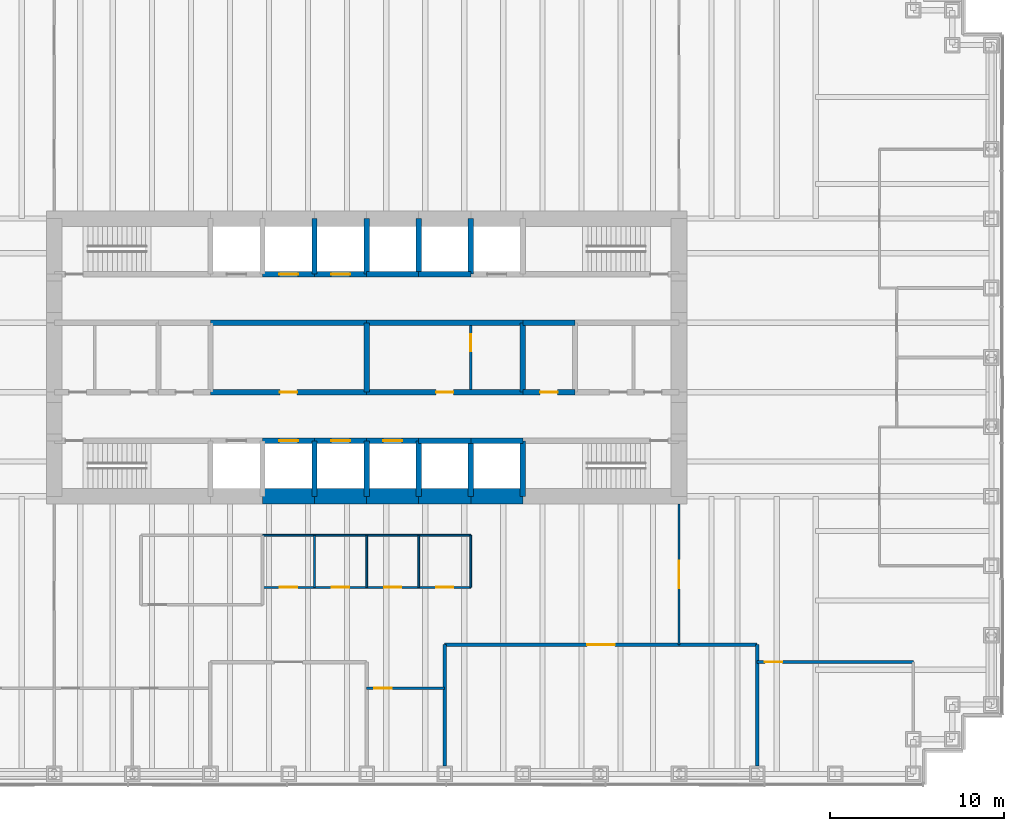
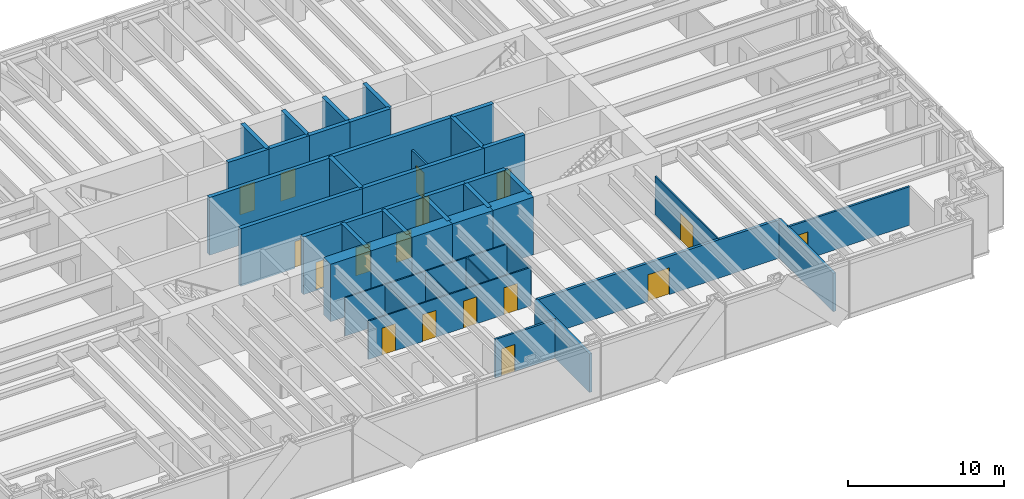
# One storey, part 10 of 13: 44 walls, 17 doors, 17 openings.
"""IFC4 building model written with IfcOpenShell, lengths in metres."""

from ifc_helpers import new_model, si_unit, direction, frame, frame_2d, origin, place, context, subcontext, project, spatial, rectangle, extrude, material, layer, layer_set, type_object, element, fill, save


model = new_model("IFC4")

# Units and contexts
model_context = context("Model", 3, precision=1e-05, world=origin(), true_north=direction((0.0, 1.0)))
body_context = subcontext(model_context, "Body", "Model", "MODEL_VIEW")
ifc_project = project(units=[si_unit("LENGTHUNIT", "METRE"), si_unit("AREAUNIT", "SQUARE_METRE"), si_unit("VOLUMEUNIT", "CUBIC_METRE"), si_unit("PLANEANGLEUNIT", "RADIAN"), si_unit("MASSUNIT", "GRAM", prefix="KILO")], contexts=[model_context])

# Site, building, storey
site_placement = place(None, origin())
site = spatial("IfcSite", under=ifc_project, at=site_placement, CompositionType="ELEMENT")
building_placement = place(site_placement, origin())
building = spatial("IfcBuilding", under=site, at=building_placement, Name="Rheinbord Bourse Tower", CompositionType="ELEMENT")
storey_placement = place(building_placement, frame((0.0, 0.0, 41.0)))
storey = spatial("IfcBuildingStorey", under=building, at=storey_placement, Name="L08", CompositionType="ELEMENT", Elevation=41.0)

# Wall, opening, door
ifc_material_1 = material(Name="Acoustic gypsum board partition", Category="gypsum board")
ifc_layer_1 = layer(ifc_material_1, 0.199951171875)
ifc_layer_set_1 = layer_set([ifc_layer_1], Name="ACOUSTIC PARTITION 200")
wall_type_1 = type_object("IfcWallType", Name="ACOUSTIC PARTITION 200", PredefinedType="PARTITIONING", material=ifc_layer_set_1)
wall_1_placement = place(storey_placement, frame((40.5, 7.449951171875, 0.0), z_axis=(0.0, 0.0, 1.0), x_axis=(1.0, 0.0, 0.0)))
wall_1 = element("IfcWall", 1, at=wall_1_placement, inside=storey, type_object=wall_type_1, Name="Partition L08-06", PredefinedType="PARTITIONING", context=body_context, shape_type="SweptSolid", body=[
    extrude(rectangle(XDim=18.0, YDim=0.199951171875, at=frame_2d((9.0, 0.0))), origin(), (0.0, 0.0, 1.0), 3.0),
])
opening_1_placement = place(wall_1_placement, frame((8.199951171875, 0.0, 0.0)))
opening_1 = element("IfcOpeningElement", 2, at=opening_1_placement, cuts=wall_1, Name="Opening 08D08", PredefinedType="OPENING", context=body_context, shape_type="SweptSolid", body=[
    extrude(rectangle(XDim=1.60009765625, YDim=2.10009765625, at=frame_2d((0.800048828125, 1.050048828125))), frame((0.0, 0.10986328125, 0.0), z_axis=(0.0, -1.0, 0.0), x_axis=(1.0, 0.0, 0.0)), (0.0, 0.0, 1.0), 0.219970703125),
])
ifc_material_2 = material(Name="Timber door", Category="wood")
door_type_1 = type_object("IfcDoorType", Name="DOUBLE ROOM DOOR 1600", OperationType="DOUBLE_DOOR_DOUBLE_SWING", PredefinedType="DOOR", material=ifc_material_2)
door_1_placement = place(opening_1_placement, origin())
door_1 = element("IfcDoor", 3, at=door_1_placement, inside=storey, type_object=door_type_1, Name="Sales trading room door L08", OperationType="SINGLE_SWING_LEFT", OverallHeight=2.10009765625, OverallWidth=1.60009765625, PredefinedType="DOOR", context=body_context, shape_type="SweptSolid", body=[
    extrude(rectangle(XDim=1.60009765625, YDim=2.10009765625, at=frame_2d((0.800048828125, 1.050048828125))), frame((0.0, 0.02490234375, 0.0), z_axis=(0.0, -1.0, 0.0), x_axis=(1.0, 0.0, 0.0)), (0.0, 0.0, 1.0), 0.050048828125),
])
fill(opening_1, door_1)

# Walls
for number, where, z_axis, x_axis, name in (
    (4, (40.5, 0.449951171875, 0.0), (0.0, 0.0, 1.0), (0.0, 1.0, 0.0), "Partition L08-34"),
    (5, (58.5, 0.449951171875, 0.0), (0.0, 0.0, 1.0), (0.0, 1.0, 0.0), "Partition L08-38"),
):
    element("IfcWall", number, at=place(storey_placement, frame(where, z_axis=z_axis, x_axis=x_axis)), inside=storey, type_object=wall_type_1, Name=name, PredefinedType="PARTITIONING", context=body_context, shape_type="SweptSolid", body=[
        extrude(rectangle(XDim=7.0, YDim=0.199951171875, at=frame_2d((3.5, 0.0))), origin(), (0.0, 0.0, 1.0), 3.0),
    ])

# Wall, opening, door
ifc_material_3 = material(Name="Concrete C50/60", Category="concrete")
ifc_layer_2 = layer(ifc_material_3, 0.300048828125)
ifc_layer_set_2 = layer_set([ifc_layer_2], Name="CORE INNER WALL 300")
wall_type_2 = type_object("IfcWallType", Name="CORE INNER WALL 300", PredefinedType="SOLIDWALL", material=ifc_layer_set_2)
wall_2_placement = place(storey_placement, frame((30.0, 19.199951171875, 0.0), z_axis=(0.0, 0.0, 1.0), x_axis=(1.0, 0.0, 0.0)))
wall_2 = element("IfcWall", 6, at=wall_2_placement, inside=storey, type_object=wall_type_2, Name="Core wall A3 L08", PredefinedType="SOLIDWALL", context=body_context, shape_type="SweptSolid", body=[
    extrude(rectangle(XDim=3.0, YDim=0.300048828125, at=frame_2d((1.5, 0.0))), origin(), (0.0, 0.0, 1.0), 4.5),
])
opening_2_placement = place(wall_2_placement, frame((0.949951171875, 0.0, 0.0)))
opening_2 = element("IfcOpeningElement", 7, at=opening_2_placement, cuts=wall_2, Name="Opening PA1", PredefinedType="OPENING", context=body_context, shape_type="SweptSolid", body=[
    extrude(rectangle(XDim=1.10009765625, YDim=2.199951171875, at=frame_2d((0.550048828125, 1.10009765625))), frame((0.0, 0.159912109375, 0.0), z_axis=(0.0, -1.0, 0.0), x_axis=(1.0, 0.0, 0.0)), (0.0, 0.0, 1.0), 0.320068359375),
])
ifc_material_4 = material(Name="Steel landing door", Category="steel")
door_type_2 = type_object("IfcDoorType", Name="LIFT LANDING DOOR 1100", OperationType="DOUBLE_DOOR_SLIDING", PredefinedType="USERDEFINED", material=ifc_material_4)
door_2_placement = place(opening_2_placement, origin())
door_2 = element("IfcDoor", 8, at=door_2_placement, inside=storey, type_object=door_type_2, Name="Lift landing door PA1 L08", ObjectType="LIFT LANDING DOOR", OperationType="DOUBLE_DOOR_SLIDING", OverallHeight=2.199951171875, OverallWidth=1.10009765625, PredefinedType="USERDEFINED", context=body_context, shape_type="SweptSolid", body=[
    extrude(rectangle(XDim=1.10009765625, YDim=2.199951171875, at=frame_2d((0.550048828125, 1.10009765625))), frame((0.0, 0.02490234375, 0.0), z_axis=(0.0, -1.0, 0.0), x_axis=(1.0, 0.0, 0.0)), (0.0, 0.0, 1.0), 0.050048828125),
])
fill(opening_2, door_2)

wall_3_placement = place(storey_placement, frame((33.0, 19.199951171875, 0.0), z_axis=(0.0, 0.0, 1.0), x_axis=(1.0, 0.0, 0.0)))
wall_3 = element("IfcWall", 9, at=wall_3_placement, inside=storey, type_object=wall_type_2, Name="Core wall A4 L08", PredefinedType="SOLIDWALL", context=body_context, shape_type="SweptSolid", body=[
    extrude(rectangle(XDim=3.0, YDim=0.300048828125, at=frame_2d((1.5, 0.0))), origin(), (0.0, 0.0, 1.0), 4.5),
])
opening_3_placement = place(wall_3_placement, frame((0.949951171875, 0.0, 0.0)))
opening_3 = element("IfcOpeningElement", 10, at=opening_3_placement, cuts=wall_3, Name="Opening PA2", PredefinedType="OPENING", context=body_context, shape_type="SweptSolid", body=[
    extrude(rectangle(XDim=1.10009765625, YDim=2.199951171875, at=frame_2d((0.550048828125, 1.10009765625))), frame((0.0, 0.159912109375, 0.0), z_axis=(0.0, -1.0, 0.0), x_axis=(1.0, 0.0, 0.0)), (0.0, 0.0, 1.0), 0.320068359375),
])
door_3_placement = place(opening_3_placement, origin())
door_3 = element("IfcDoor", 11, at=door_3_placement, inside=storey, type_object=door_type_2, Name="Lift landing door PA2 L08", ObjectType="LIFT LANDING DOOR", OperationType="DOUBLE_DOOR_SLIDING", OverallHeight=2.199951171875, OverallWidth=1.10009765625, PredefinedType="USERDEFINED", context=body_context, shape_type="SweptSolid", body=[
    extrude(rectangle(XDim=1.10009765625, YDim=2.199951171875, at=frame_2d((0.550048828125, 1.10009765625))), frame((0.0, 0.02490234375, 0.0), z_axis=(0.0, -1.0, 0.0), x_axis=(1.0, 0.0, 0.0)), (0.0, 0.0, 1.0), 0.050048828125),
])
fill(opening_3, door_3)

wall_4_placement = place(storey_placement, frame((36.0, 19.199951171875, 0.0), z_axis=(0.0, 0.0, 1.0), x_axis=(1.0, 0.0, 0.0)))
wall_4 = element("IfcWall", 12, at=wall_4_placement, inside=storey, type_object=wall_type_2, Name="Core wall A5 L08", PredefinedType="SOLIDWALL", context=body_context, shape_type="SweptSolid", body=[
    extrude(rectangle(XDim=3.0, YDim=0.300048828125, at=frame_2d((1.5, 0.0))), origin(), (0.0, 0.0, 1.0), 4.5),
])
opening_4_placement = place(wall_4_placement, frame((0.949951171875, 0.0, 0.0)))
opening_4 = element("IfcOpeningElement", 13, at=opening_4_placement, cuts=wall_4, Name="Opening PA3", PredefinedType="OPENING", context=body_context, shape_type="SweptSolid", body=[
    extrude(rectangle(XDim=1.10009765625, YDim=2.199951171875, at=frame_2d((0.550048828125, 1.10009765625))), frame((0.0, 0.159912109375, 0.0), z_axis=(0.0, -1.0, 0.0), x_axis=(1.0, 0.0, 0.0)), (0.0, 0.0, 1.0), 0.320068359375),
])
door_4_placement = place(opening_4_placement, origin())
door_4 = element("IfcDoor", 14, at=door_4_placement, inside=storey, type_object=door_type_2, Name="Lift landing door PA3 L08", ObjectType="LIFT LANDING DOOR", OperationType="DOUBLE_DOOR_SLIDING", OverallHeight=2.199951171875, OverallWidth=1.10009765625, PredefinedType="USERDEFINED", context=body_context, shape_type="SweptSolid", body=[
    extrude(rectangle(XDim=1.10009765625, YDim=2.199951171875, at=frame_2d((0.550048828125, 1.10009765625))), frame((0.0, 0.02490234375, 0.0), z_axis=(0.0, -1.0, 0.0), x_axis=(1.0, 0.0, 0.0)), (0.0, 0.0, 1.0), 0.050048828125),
])
fill(opening_4, door_4)

# Walls
for number, where, z_axis, x_axis, name in (
    (15, (39.0, 19.199951171875, 0.0), (0.0, 0.0, 1.0), (1.0, 0.0, 0.0), "Core wall A6 L08"),
    (16, (42.0, 19.199951171875, 0.0), (0.0, 0.0, 1.0), (1.0, 0.0, 0.0), "Core wall A7 L08"),
):
    element("IfcWall", number, at=place(storey_placement, frame(where, z_axis=z_axis, x_axis=x_axis)), inside=storey, type_object=wall_type_2, Name=name, PredefinedType="SOLIDWALL", context=body_context, shape_type="SweptSolid", body=[
        extrude(rectangle(XDim=3.0, YDim=0.300048828125, at=frame_2d((1.5, 0.0))), origin(), (0.0, 0.0, 1.0), 4.5),
    ])

# Wall, opening, door
wall_5_placement = place(storey_placement, frame((30.0, 28.800048828125, 0.0), z_axis=(0.0, 0.0, 1.0), x_axis=(1.0, 0.0, 0.0)))
wall_5 = element("IfcWall", 17, at=wall_5_placement, inside=storey, type_object=wall_type_2, Name="Core wall B3 L08", PredefinedType="SOLIDWALL", context=body_context, shape_type="SweptSolid", body=[
    extrude(rectangle(XDim=3.0, YDim=0.300048828125, at=frame_2d((1.5, 0.0))), origin(), (0.0, 0.0, 1.0), 4.5),
])
opening_5_placement = place(wall_5_placement, frame((0.949951171875, 0.0, 0.0)))
opening_5 = element("IfcOpeningElement", 18, at=opening_5_placement, cuts=wall_5, Name="Opening PA4", PredefinedType="OPENING", context=body_context, shape_type="SweptSolid", body=[
    extrude(rectangle(XDim=1.10009765625, YDim=2.199951171875, at=frame_2d((0.550048828125, 1.10009765625))), frame((0.0, 0.159912109375, 0.0), z_axis=(0.0, -1.0, 0.0), x_axis=(1.0, 0.0, 0.0)), (0.0, 0.0, 1.0), 0.320068359375),
])
door_5_placement = place(opening_5_placement, origin())
door_5 = element("IfcDoor", 19, at=door_5_placement, inside=storey, type_object=door_type_2, Name="Lift landing door PA4 L08", ObjectType="LIFT LANDING DOOR", OperationType="DOUBLE_DOOR_SLIDING", OverallHeight=2.199951171875, OverallWidth=1.10009765625, PredefinedType="USERDEFINED", context=body_context, shape_type="SweptSolid", body=[
    extrude(rectangle(XDim=1.10009765625, YDim=2.199951171875, at=frame_2d((0.550048828125, 1.10009765625))), frame((0.0, 0.02490234375, 0.0), z_axis=(0.0, -1.0, 0.0), x_axis=(1.0, 0.0, 0.0)), (0.0, 0.0, 1.0), 0.050048828125),
])
fill(opening_5, door_5)

wall_6_placement = place(storey_placement, frame((33.0, 28.800048828125, 0.0), z_axis=(0.0, 0.0, 1.0), x_axis=(1.0, 0.0, 0.0)))
wall_6 = element("IfcWall", 20, at=wall_6_placement, inside=storey, type_object=wall_type_2, Name="Core wall B4 L08", PredefinedType="SOLIDWALL", context=body_context, shape_type="SweptSolid", body=[
    extrude(rectangle(XDim=3.0, YDim=0.300048828125, at=frame_2d((1.5, 0.0))), origin(), (0.0, 0.0, 1.0), 4.5),
])
opening_6_placement = place(wall_6_placement, frame((0.949951171875, 0.0, 0.0)))
opening_6 = element("IfcOpeningElement", 21, at=opening_6_placement, cuts=wall_6, Name="Opening PA5", PredefinedType="OPENING", context=body_context, shape_type="SweptSolid", body=[
    extrude(rectangle(XDim=1.10009765625, YDim=2.199951171875, at=frame_2d((0.550048828125, 1.10009765625))), frame((0.0, 0.159912109375, 0.0), z_axis=(0.0, -1.0, 0.0), x_axis=(1.0, 0.0, 0.0)), (0.0, 0.0, 1.0), 0.320068359375),
])
door_6_placement = place(opening_6_placement, origin())
door_6 = element("IfcDoor", 22, at=door_6_placement, inside=storey, type_object=door_type_2, Name="Lift landing door PA5 L08", ObjectType="LIFT LANDING DOOR", OperationType="DOUBLE_DOOR_SLIDING", OverallHeight=2.199951171875, OverallWidth=1.10009765625, PredefinedType="USERDEFINED", context=body_context, shape_type="SweptSolid", body=[
    extrude(rectangle(XDim=1.10009765625, YDim=2.199951171875, at=frame_2d((0.550048828125, 1.10009765625))), frame((0.0, 0.02490234375, 0.0), z_axis=(0.0, -1.0, 0.0), x_axis=(1.0, 0.0, 0.0)), (0.0, 0.0, 1.0), 0.050048828125),
])
fill(opening_6, door_6)

# Walls
for number, where, z_axis, x_axis, name in (
    (23, (36.0, 28.800048828125, 0.0), (0.0, 0.0, 1.0), (1.0, 0.0, 0.0), "Core wall B5 L08"),
    (24, (39.0, 28.800048828125, 0.0), (0.0, 0.0, 1.0), (1.0, 0.0, 0.0), "Core wall B6 L08"),
):
    element("IfcWall", number, at=place(storey_placement, frame(where, z_axis=z_axis, x_axis=x_axis)), inside=storey, type_object=wall_type_2, Name=name, PredefinedType="SOLIDWALL", context=body_context, shape_type="SweptSolid", body=[
        extrude(rectangle(XDim=3.0, YDim=0.300048828125, at=frame_2d((1.5, 0.0))), origin(), (0.0, 0.0, 1.0), 4.5),
    ])

# Wall, opening, door
wall_7_placement = place(storey_placement, frame((27.0, 22.0, 0.0), z_axis=(0.0, 0.0, 1.0), x_axis=(1.0, 0.0, 0.0)))
wall_7 = element("IfcWall", 25, at=wall_7_placement, inside=storey, type_object=wall_type_2, Name="Core wall C3 L08", PredefinedType="SOLIDWALL", context=body_context, shape_type="SweptSolid", body=[
    extrude(rectangle(XDim=9.0, YDim=0.300048828125, at=frame_2d((4.5, 0.0))), origin(), (0.0, 0.0, 1.0), 4.5),
])
opening_7_placement = place(wall_7_placement, frame((4.0, 0.0, 0.0)))
opening_7 = element("IfcOpeningElement", 26, at=opening_7_placement, cuts=wall_7, Name="Opening 08R3", PredefinedType="OPENING", context=body_context, shape_type="SweptSolid", body=[
    extrude(rectangle(XDim=1.0, YDim=2.10009765625, at=frame_2d((0.5, 1.050048828125))), frame((0.0, 0.159912109375, 0.0), z_axis=(0.0, -1.0, 0.0), x_axis=(1.0, 0.0, 0.0)), (0.0, 0.0, 1.0), 0.320068359375),
])
ifc_material_5 = material(Name="Steel door", Category="steel")
door_type_3 = type_object("IfcDoorType", Name="DOOR 1000 EI30", OperationType="SINGLE_SWING_LEFT", PredefinedType="DOOR", material=ifc_material_5)
door_7_placement = place(opening_7_placement, origin())
door_7 = element("IfcDoor", 27, at=door_7_placement, inside=storey, type_object=door_type_3, Name="Riser door L08", OperationType="SINGLE_SWING_LEFT", OverallHeight=2.10009765625, OverallWidth=1.0, PredefinedType="DOOR", context=body_context, shape_type="SweptSolid", body=[
    extrude(rectangle(XDim=1.0, YDim=2.10009765625, at=frame_2d((0.5, 1.050048828125))), frame((0.0, 0.02490234375, 0.0), z_axis=(0.0, -1.0, 0.0), x_axis=(1.0, 0.0, 0.0)), (0.0, 0.0, 1.0), 0.050048828125),
])
fill(opening_7, door_7)

wall_8_placement = place(storey_placement, frame((36.0, 22.0, 0.0), z_axis=(0.0, 0.0, 1.0), x_axis=(1.0, 0.0, 0.0)))
wall_8 = element("IfcWall", 28, at=wall_8_placement, inside=storey, type_object=wall_type_2, Name="Core wall C4 L08", PredefinedType="SOLIDWALL", context=body_context, shape_type="SweptSolid", body=[
    extrude(rectangle(XDim=9.0, YDim=0.300048828125, at=frame_2d((4.5, 0.0))), origin(), (0.0, 0.0, 1.0), 4.5),
])
opening_8_placement = place(wall_8_placement, frame((4.0, 0.0, 0.0)))
opening_8 = element("IfcOpeningElement", 29, at=opening_8_placement, cuts=wall_8, Name="Opening 08R4", PredefinedType="OPENING", context=body_context, shape_type="SweptSolid", body=[
    extrude(rectangle(XDim=1.0, YDim=2.10009765625, at=frame_2d((0.5, 1.050048828125))), frame((0.0, 0.159912109375, 0.0), z_axis=(0.0, -1.0, 0.0), x_axis=(1.0, 0.0, 0.0)), (0.0, 0.0, 1.0), 0.320068359375),
])
door_8_placement = place(opening_8_placement, origin())
door_8 = element("IfcDoor", 30, at=door_8_placement, inside=storey, type_object=door_type_3, Name="IT room door L08", OperationType="SINGLE_SWING_LEFT", OverallHeight=2.10009765625, OverallWidth=1.0, PredefinedType="DOOR", context=body_context, shape_type="SweptSolid", body=[
    extrude(rectangle(XDim=1.0, YDim=2.10009765625, at=frame_2d((0.5, 1.050048828125))), frame((0.0, 0.02490234375, 0.0), z_axis=(0.0, -1.0, 0.0), x_axis=(1.0, 0.0, 0.0)), (0.0, 0.0, 1.0), 0.050048828125),
])
fill(opening_8, door_8)

wall_9_placement = place(storey_placement, frame((45.0, 22.0, 0.0), z_axis=(0.0, 0.0, 1.0), x_axis=(1.0, 0.0, 0.0)))
wall_9 = element("IfcWall", 31, at=wall_9_placement, inside=storey, type_object=wall_type_2, Name="Core wall C5 L08", PredefinedType="SOLIDWALL", context=body_context, shape_type="SweptSolid", body=[
    extrude(rectangle(XDim=3.0, YDim=0.300048828125, at=frame_2d((1.5, 0.0))), origin(), (0.0, 0.0, 1.0), 4.5),
])
opening_9_placement = place(wall_9_placement, frame((1.0, 0.0, 0.0)))
opening_9 = element("IfcOpeningElement", 32, at=opening_9_placement, cuts=wall_9, Name="Opening 08R5", PredefinedType="OPENING", context=body_context, shape_type="SweptSolid", body=[
    extrude(rectangle(XDim=1.0, YDim=2.10009765625, at=frame_2d((0.5, 1.050048828125))), frame((0.0, 0.159912109375, 0.0), z_axis=(0.0, -1.0, 0.0), x_axis=(1.0, 0.0, 0.0)), (0.0, 0.0, 1.0), 0.320068359375),
])
ifc_material_6 = material(Name="Timber door", Category="wood")
door_type_4 = type_object("IfcDoorType", Name="DOOR 1000 WC", OperationType="SINGLE_SWING_LEFT", PredefinedType="DOOR", material=ifc_material_6)
door_9_placement = place(opening_9_placement, origin())
door_9 = element("IfcDoor", 33, at=door_9_placement, inside=storey, type_object=door_type_4, Name="Accessible WC door L08", OperationType="SINGLE_SWING_LEFT", OverallHeight=2.10009765625, OverallWidth=1.0, PredefinedType="DOOR", context=body_context, shape_type="SweptSolid", body=[
    extrude(rectangle(XDim=1.0, YDim=2.10009765625, at=frame_2d((0.5, 1.050048828125))), frame((0.0, 0.02490234375, 0.0), z_axis=(0.0, -1.0, 0.0), x_axis=(1.0, 0.0, 0.0)), (0.0, 0.0, 1.0), 0.050048828125),
])
fill(opening_9, door_9)

# Walls
for number, where, z_axis, x_axis, name in (
    (34, (27.0, 26.0, 0.0), (0.0, 0.0, 1.0), (1.0, 0.0, 0.0), "Core wall D3 L08"),
    (35, (36.0, 26.0, 0.0), (0.0, 0.0, 1.0), (1.0, 0.0, 0.0), "Core wall D4 L08"),
):
    element("IfcWall", number, at=place(storey_placement, frame(where, z_axis=z_axis, x_axis=x_axis)), inside=storey, type_object=wall_type_2, Name=name, PredefinedType="SOLIDWALL", context=body_context, shape_type="SweptSolid", body=[
        extrude(rectangle(XDim=9.0, YDim=0.300048828125, at=frame_2d((4.5, 0.0))), origin(), (0.0, 0.0, 1.0), 4.5),
    ])
wall_10_placement = place(storey_placement, frame((45.0, 26.0, 0.0), z_axis=(0.0, 0.0, 1.0), x_axis=(1.0, 0.0, 0.0)))
element("IfcWall", 36, at=wall_10_placement, inside=storey, type_object=wall_type_2, Name="Core wall D5 L08", PredefinedType="SOLIDWALL", context=body_context, shape_type="SweptSolid", body=[
    extrude(rectangle(XDim=3.0, YDim=0.300048828125, at=frame_2d((1.5, 0.0))), origin(), (0.0, 0.0, 1.0), 4.5),
])
for number, where, z_axis, x_axis, name in (
    (37, (33.0, 16.0, 0.0), (0.0, 0.0, 1.0), (0.0, 1.0, 0.0), "Core wall SX33 L08"),
    (38, (33.0, 28.800048828125, 0.0), (0.0, 0.0, 1.0), (0.0, 1.0, 0.0), "Core wall NX33 L08"),
    (39, (36.0, 16.0, 0.0), (0.0, 0.0, 1.0), (0.0, 1.0, 0.0), "Core wall SX36 L08"),
    (40, (36.0, 28.800048828125, 0.0), (0.0, 0.0, 1.0), (0.0, 1.0, 0.0), "Core wall NX36 L08"),
    (41, (39.0, 16.0, 0.0), (0.0, 0.0, 1.0), (0.0, 1.0, 0.0), "Core wall SX39 L08"),
    (42, (39.0, 28.800048828125, 0.0), (0.0, 0.0, 1.0), (0.0, 1.0, 0.0), "Core wall NX39 L08"),
    (43, (42.0, 16.0, 0.0), (0.0, 0.0, 1.0), (0.0, 1.0, 0.0), "Core wall SX42 L08"),
    (44, (42.0, 28.800048828125, 0.0), (0.0, 0.0, 1.0), (0.0, 1.0, 0.0), "Core wall NX42 L08"),
    (45, (45.0, 16.0, 0.0), (0.0, 0.0, 1.0), (0.0, 1.0, 0.0), "Core wall SX45 L08"),
):
    element("IfcWall", number, at=place(storey_placement, frame(where, z_axis=z_axis, x_axis=x_axis)), inside=storey, type_object=wall_type_2, Name=name, PredefinedType="SOLIDWALL", context=body_context, shape_type="SweptSolid", body=[
        extrude(rectangle(XDim=3.199951171875, YDim=0.300048828125, at=frame_2d((1.60009765625, 0.0))), origin(), (0.0, 0.0, 1.0), 4.5),
    ])
for number, where, z_axis, x_axis, name in (
    (46, (36.0, 22.0, 0.0), (0.0, 0.0, 1.0), (0.0, 1.0, 0.0), "Core wall MX36 L08"),
    (47, (45.0, 22.0, 0.0), (0.0, 0.0, 1.0), (0.0, 1.0, 0.0), "Core wall MX45 L08"),
):
    element("IfcWall", number, at=place(storey_placement, frame(where, z_axis=z_axis, x_axis=x_axis)), inside=storey, type_object=wall_type_2, Name=name, PredefinedType="SOLIDWALL", context=body_context, shape_type="SweptSolid", body=[
        extrude(rectangle(XDim=4.0, YDim=0.300048828125, at=frame_2d((2.0, 0.0))), origin(), (0.0, 0.0, 1.0), 4.5),
    ])

# Wall, opening, door
ifc_material_7 = material(Name="Gypsum board fire partition", Category="gypsum board")
ifc_layer_3 = layer(ifc_material_7, 0.14990234375)
ifc_layer_set_3 = layer_set([ifc_layer_3], Name="CORE PARTITION 150 EI30")
wall_type_3 = type_object("IfcWallType", Name="CORE PARTITION 150 EI30", PredefinedType="PARTITIONING", material=ifc_layer_set_3)
wall_11_placement = place(storey_placement, frame((42.0, 22.14990234375, 0.0), z_axis=(0.0, 0.0, 1.0), x_axis=(0.0, 1.0, 0.0)))
wall_11 = element("IfcWall", 48, at=wall_11_placement, inside=storey, type_object=wall_type_3, Name="Core partition L08-1", PredefinedType="PARTITIONING", context=body_context, shape_type="SweptSolid", body=[
    extrude(rectangle(XDim=3.7001953125, YDim=0.14990234375, at=frame_2d((1.85009765625, 0.0))), origin(), (0.0, 0.0, 1.0), 3.0),
])
opening_10_placement = place(wall_11_placement, frame((2.199951171875, 0.0, 0.0)))
opening_10 = element("IfcOpeningElement", 49, at=opening_10_placement, cuts=wall_11, Name="Opening 08R7", PredefinedType="OPENING", context=body_context, shape_type="SweptSolid", body=[
    extrude(rectangle(XDim=1.0, YDim=2.10009765625, at=frame_2d((0.5, 1.050048828125))), frame((0.0, 0.0849609375, 0.0), z_axis=(0.0, -1.0, 0.0), x_axis=(1.0, 0.0, 0.0)), (0.0, 0.0, 1.0), 0.169921875),
])
door_10_placement = place(opening_10_placement, origin())
door_10 = element("IfcDoor", 50, at=door_10_placement, inside=storey, type_object=door_type_3, Name="Store door L08", OperationType="SINGLE_SWING_RIGHT", OverallHeight=2.10009765625, OverallWidth=1.0, PredefinedType="DOOR", context=body_context, shape_type="SweptSolid", body=[
    extrude(rectangle(XDim=1.0, YDim=2.10009765625, at=frame_2d((0.5, 1.050048828125))), frame((0.0, 0.02490234375, 0.0), z_axis=(0.0, -1.0, 0.0), x_axis=(1.0, 0.0, 0.0)), (0.0, 0.0, 1.0), 0.050048828125),
])
fill(opening_10, door_10)

# Walls
ifc_material_8 = material(Name="Concrete C50/60", Category="concrete")
ifc_layer_4 = layer(ifc_material_8, 0.89990234375)
ifc_layer_set_4 = layer_set([ifc_layer_4], Name="CORE WALL 900")
wall_type_4 = type_object("IfcWallType", Name="CORE WALL 900", PredefinedType="SHEAR", material=ifc_layer_set_4)
for number, where, z_axis, x_axis, name in (
    (51, (30.0, 16.0, 0.0), (0.0, 0.0, 1.0), (1.0, 0.0, 0.0), "Core wall S3 L08"),
    (52, (33.0, 16.0, 0.0), (0.0, 0.0, 1.0), (1.0, 0.0, 0.0), "Core wall S4 L08"),
    (53, (36.0, 16.0, 0.0), (0.0, 0.0, 1.0), (1.0, 0.0, 0.0), "Core wall S5 L08"),
    (54, (39.0, 16.0, 0.0), (0.0, 0.0, 1.0), (1.0, 0.0, 0.0), "Core wall S6 L08"),
    (55, (42.0, 16.0, 0.0), (0.0, 0.0, 1.0), (1.0, 0.0, 0.0), "Core wall S7 L08"),
):
    element("IfcWall", number, at=place(storey_placement, frame(where, z_axis=z_axis, x_axis=x_axis)), inside=storey, type_object=wall_type_4, Name=name, PredefinedType="SHEAR", context=body_context, shape_type="SweptSolid", body=[
        extrude(rectangle(XDim=3.0, YDim=0.89990234375, at=frame_2d((1.5, 0.0))), origin(), (0.0, 0.0, 1.0), 4.5),
    ])

# Wall, openings, doors
ifc_material_9 = material(Name="Toughened laminated glass partition", Category="glass")
ifc_layer_5 = layer(ifc_material_9, 0.10009765625)
ifc_layer_set_5 = layer_set([ifc_layer_5], Name="GLAZED PARTITION 100")
wall_type_5 = type_object("IfcWallType", Name="GLAZED PARTITION 100", PredefinedType="PARTITIONING", material=ifc_layer_set_5)
wall_12_placement = place(storey_placement, frame((30.0, 10.75, 0.0), z_axis=(0.0, 0.0, 1.0), x_axis=(1.0, 0.0, 0.0)))
wall_12 = element("IfcWall", 56, at=wall_12_placement, inside=storey, type_object=wall_type_5, Name="Partition L08-08", PredefinedType="PARTITIONING", context=body_context, shape_type="SweptSolid", body=[
    extrude(rectangle(XDim=12.0, YDim=0.10009765625, at=frame_2d((6.0, 0.0))), origin(), (0.0, 0.0, 1.0), 3.0),
])
opening_11_placement = place(wall_12_placement, frame((1.0, 0.0, 0.0)))
opening_11 = element("IfcOpeningElement", 57, at=opening_11_placement, cuts=wall_12, Name="Opening 08D10", PredefinedType="OPENING", context=body_context, shape_type="SweptSolid", body=[
    extrude(rectangle(XDim=1.0, YDim=2.10009765625, at=frame_2d((0.5, 1.050048828125))), frame((0.0, 0.06005859375, 0.0), z_axis=(0.0, -1.0, 0.0), x_axis=(1.0, 0.0, 0.0)), (0.0, 0.0, 1.0), 0.1201171875),
])
opening_12_placement = place(wall_12_placement, frame((4.0, 0.0, 0.0)))
opening_12 = element("IfcOpeningElement", 58, at=opening_12_placement, cuts=wall_12, Name="Opening 08D11", PredefinedType="OPENING", context=body_context, shape_type="SweptSolid", body=[
    extrude(rectangle(XDim=1.0, YDim=2.10009765625, at=frame_2d((0.5, 1.050048828125))), frame((0.0, 0.06005859375, 0.0), z_axis=(0.0, -1.0, 0.0), x_axis=(1.0, 0.0, 0.0)), (0.0, 0.0, 1.0), 0.1201171875),
])
opening_13_placement = place(wall_12_placement, frame((7.0, 0.0, 0.0)))
opening_13 = element("IfcOpeningElement", 59, at=opening_13_placement, cuts=wall_12, Name="Opening 08D12", PredefinedType="OPENING", context=body_context, shape_type="SweptSolid", body=[
    extrude(rectangle(XDim=1.0, YDim=2.10009765625, at=frame_2d((0.5, 1.050048828125))), frame((0.0, 0.06005859375, 0.0), z_axis=(0.0, -1.0, 0.0), x_axis=(1.0, 0.0, 0.0)), (0.0, 0.0, 1.0), 0.1201171875),
])
opening_14_placement = place(wall_12_placement, frame((10.0, 0.0, 0.0)))
opening_14 = element("IfcOpeningElement", 60, at=opening_14_placement, cuts=wall_12, Name="Opening 08D13", PredefinedType="OPENING", context=body_context, shape_type="SweptSolid", body=[
    extrude(rectangle(XDim=1.0, YDim=2.10009765625, at=frame_2d((0.5, 1.050048828125))), frame((0.0, 0.06005859375, 0.0), z_axis=(0.0, -1.0, 0.0), x_axis=(1.0, 0.0, 0.0)), (0.0, 0.0, 1.0), 0.1201171875),
])
ifc_material_10 = material(Name="Timber door", Category="wood")
door_type_5 = type_object("IfcDoorType", Name="ROOM DOOR 1000", OperationType="SINGLE_SWING_LEFT", PredefinedType="DOOR", material=ifc_material_10)
door_11_placement = place(opening_11_placement, origin())
door_11 = element("IfcDoor", 61, at=door_11_placement, inside=storey, type_object=door_type_5, Name="Quiet room door L08", OperationType="SINGLE_SWING_LEFT", OverallHeight=2.10009765625, OverallWidth=1.0, PredefinedType="DOOR", context=body_context, shape_type="SweptSolid", body=[
    extrude(rectangle(XDim=1.0, YDim=2.10009765625, at=frame_2d((0.5, 1.050048828125))), frame((0.0, 0.02490234375, 0.0), z_axis=(0.0, -1.0, 0.0), x_axis=(1.0, 0.0, 0.0)), (0.0, 0.0, 1.0), 0.050048828125),
])
fill(opening_11, door_11)
door_12_placement = place(opening_12_placement, origin())
door_12 = element("IfcDoor", 62, at=door_12_placement, inside=storey, type_object=door_type_5, Name="Quiet room door L08", OperationType="SINGLE_SWING_LEFT", OverallHeight=2.10009765625, OverallWidth=1.0, PredefinedType="DOOR", context=body_context, shape_type="SweptSolid", body=[
    extrude(rectangle(XDim=1.0, YDim=2.10009765625, at=frame_2d((0.5, 1.050048828125))), frame((0.0, 0.02490234375, 0.0), z_axis=(0.0, -1.0, 0.0), x_axis=(1.0, 0.0, 0.0)), (0.0, 0.0, 1.0), 0.050048828125),
])
fill(opening_12, door_12)
door_13_placement = place(opening_13_placement, origin())
door_13 = element("IfcDoor", 63, at=door_13_placement, inside=storey, type_object=door_type_5, Name="Quiet room door L08", OperationType="SINGLE_SWING_RIGHT", OverallHeight=2.10009765625, OverallWidth=1.0, PredefinedType="DOOR", context=body_context, shape_type="SweptSolid", body=[
    extrude(rectangle(XDim=1.0, YDim=2.10009765625, at=frame_2d((0.5, 1.050048828125))), frame((0.0, 0.02490234375, 0.0), z_axis=(0.0, -1.0, 0.0), x_axis=(1.0, 0.0, 0.0)), (0.0, 0.0, 1.0), 0.050048828125),
])
fill(opening_13, door_13)
door_14_placement = place(opening_14_placement, origin())
door_14 = element("IfcDoor", 64, at=door_14_placement, inside=storey, type_object=door_type_5, Name="Quiet room door L08", OperationType="SINGLE_SWING_RIGHT", OverallHeight=2.10009765625, OverallWidth=1.0, PredefinedType="DOOR", context=body_context, shape_type="SweptSolid", body=[
    extrude(rectangle(XDim=1.0, YDim=2.10009765625, at=frame_2d((0.5, 1.050048828125))), frame((0.0, 0.02490234375, 0.0), z_axis=(0.0, -1.0, 0.0), x_axis=(1.0, 0.0, 0.0)), (0.0, 0.0, 1.0), 0.050048828125),
])
fill(opening_14, door_14)

# Walls
wall_13_placement = place(storey_placement, frame((30.0, 13.75, 0.0), z_axis=(0.0, 0.0, 1.0), x_axis=(1.0, 0.0, 0.0)))
element("IfcWall", 65, at=wall_13_placement, inside=storey, type_object=wall_type_5, Name="Partition L08-11", PredefinedType="PARTITIONING", context=body_context, shape_type="SweptSolid", body=[
    extrude(rectangle(XDim=12.0, YDim=0.10009765625, at=frame_2d((6.0, 0.0))), origin(), (0.0, 0.0, 1.0), 3.0),
])
for number, where, z_axis, x_axis, name in (
    (66, (33.0, 10.75, 0.0), (0.0, 0.0, 1.0), (0.0, 1.0, 0.0), "Partition L08-30"),
    (67, (36.0, 10.75, 0.0), (0.0, 0.0, 1.0), (0.0, 1.0, 0.0), "Partition L08-32"),
    (68, (39.0, 10.75, 0.0), (0.0, 0.0, 1.0), (0.0, 1.0, 0.0), "Partition L08-33"),
    (69, (42.0, 10.75, 0.0), (0.0, 0.0, 1.0), (0.0, 1.0, 0.0), "Partition L08-35"),
):
    element("IfcWall", number, at=place(storey_placement, frame(where, z_axis=z_axis, x_axis=x_axis)), inside=storey, type_object=wall_type_5, Name=name, PredefinedType="PARTITIONING", context=body_context, shape_type="SweptSolid", body=[
        extrude(rectangle(XDim=3.0, YDim=0.10009765625, at=frame_2d((1.5, 0.0))), origin(), (0.0, 0.0, 1.0), 3.0),
    ])

# Wall, opening, door
wall_14_placement = place(storey_placement, frame((54.0, 7.449951171875, 0.0), z_axis=(0.0, 0.0, 1.0), x_axis=(0.0, 1.0, 0.0)))
wall_14 = element("IfcWall", 70, at=wall_14_placement, inside=storey, type_object=wall_type_5, Name="Partition L08-36", PredefinedType="PARTITIONING", context=body_context, shape_type="SweptSolid", body=[
    extrude(rectangle(XDim=8.10009765625, YDim=0.10009765625, at=frame_2d((4.050048828125, 0.0))), origin(), (0.0, 0.0, 1.0), 3.0),
])
opening_15_placement = place(wall_14_placement, frame((3.25, 0.0, 0.0)))
opening_15 = element("IfcOpeningElement", 71, at=opening_15_placement, cuts=wall_14, Name="Opening 08D23", PredefinedType="OPENING", context=body_context, shape_type="SweptSolid", body=[
    extrude(rectangle(XDim=1.60009765625, YDim=2.10009765625, at=frame_2d((0.800048828125, 1.050048828125))), frame((0.0, 0.06005859375, 0.0), z_axis=(0.0, -1.0, 0.0), x_axis=(1.0, 0.0, 0.0)), (0.0, 0.0, 1.0), 0.1201171875),
])
door_15_placement = place(opening_15_placement, origin())
door_15 = element("IfcDoor", 72, at=door_15_placement, inside=storey, type_object=door_type_1, Name="Open area door L08", OperationType="SINGLE_SWING_LEFT", OverallHeight=2.10009765625, OverallWidth=1.60009765625, PredefinedType="DOOR", context=body_context, shape_type="SweptSolid", body=[
    extrude(rectangle(XDim=1.60009765625, YDim=2.10009765625, at=frame_2d((0.800048828125, 1.050048828125))), frame((0.0, 0.02490234375, 0.0), z_axis=(0.0, -1.0, 0.0), x_axis=(1.0, 0.0, 0.0)), (0.0, 0.0, 1.0), 0.050048828125),
])
fill(opening_15, door_15)

ifc_material_11 = material(Name="Gypsum board partition", Category="gypsum board")
ifc_layer_6 = layer(ifc_material_11, 0.14990234375)
ifc_layer_set_6 = layer_set([ifc_layer_6], Name="PARTITION 150")
wall_type_6 = type_object("IfcWallType", Name="PARTITION 150", PredefinedType="PARTITIONING", material=ifc_layer_set_6)
wall_15_placement = place(storey_placement, frame((36.0, 4.949951171875, 0.0), z_axis=(0.0, 0.0, 1.0), x_axis=(1.0, 0.0, 0.0)))
wall_15 = element("IfcWall", 73, at=wall_15_placement, inside=storey, type_object=wall_type_6, Name="Partition L08-02", PredefinedType="PARTITIONING", context=body_context, shape_type="SweptSolid", body=[
    extrude(rectangle(XDim=4.5, YDim=0.14990234375, at=frame_2d((2.25, 0.0))), origin(), (0.0, 0.0, 1.0), 3.0),
])
opening_16_placement = place(wall_15_placement, frame((0.449951171875, 0.0, 0.0)))
opening_16 = element("IfcOpeningElement", 74, at=opening_16_placement, cuts=wall_15, Name="Opening 08D04", PredefinedType="OPENING", context=body_context, shape_type="SweptSolid", body=[
    extrude(rectangle(XDim=1.0, YDim=2.10009765625, at=frame_2d((0.5, 1.050048828125))), frame((0.0, 0.0849609375, 0.0), z_axis=(0.0, -1.0, 0.0), x_axis=(1.0, 0.0, 0.0)), (0.0, 0.0, 1.0), 0.169921875),
])
door_16_placement = place(opening_16_placement, origin())
door_16 = element("IfcDoor", 75, at=door_16_placement, inside=storey, type_object=door_type_5, Name="Compliance office door L08", OperationType="SINGLE_SWING_LEFT", OverallHeight=2.10009765625, OverallWidth=1.0, PredefinedType="DOOR", context=body_context, shape_type="SweptSolid", body=[
    extrude(rectangle(XDim=1.0, YDim=2.10009765625, at=frame_2d((0.5, 1.050048828125))), frame((0.0, 0.02490234375, 0.0), z_axis=(0.0, -1.0, 0.0), x_axis=(1.0, 0.0, 0.0)), (0.0, 0.0, 1.0), 0.050048828125),
])
fill(opening_16, door_16)

wall_16_placement = place(storey_placement, frame((58.5, 6.449951171875, 0.0), z_axis=(0.0, 0.0, 1.0), x_axis=(1.0, 0.0, 0.0)))
wall_16 = element("IfcWall", 76, at=wall_16_placement, inside=storey, type_object=wall_type_6, Name="Partition L08-05", PredefinedType="PARTITIONING", context=body_context, shape_type="SweptSolid", body=[
    extrude(rectangle(XDim=9.0, YDim=0.14990234375, at=frame_2d((4.5, 0.0))), origin(), (0.0, 0.0, 1.0), 3.0),
])
opening_17_placement = place(wall_16_placement, frame((0.449951171875, 0.0, 0.0)))
opening_17 = element("IfcOpeningElement", 77, at=opening_17_placement, cuts=wall_16, Name="Opening 08D07", PredefinedType="OPENING", context=body_context, shape_type="SweptSolid", body=[
    extrude(rectangle(XDim=1.0, YDim=2.10009765625, at=frame_2d((0.5, 1.050048828125))), frame((0.0, 0.0849609375, 0.0), z_axis=(0.0, -1.0, 0.0), x_axis=(1.0, 0.0, 0.0)), (0.0, 0.0, 1.0), 0.169921875),
])
door_17_placement = place(opening_17_placement, origin())
door_17 = element("IfcDoor", 78, at=door_17_placement, inside=storey, type_object=door_type_5, Name="Head of sales office door L08", OperationType="SINGLE_SWING_LEFT", OverallHeight=2.10009765625, OverallWidth=1.0, PredefinedType="DOOR", context=body_context, shape_type="SweptSolid", body=[
    extrude(rectangle(XDim=1.0, YDim=2.10009765625, at=frame_2d((0.5, 1.050048828125))), frame((0.0, 0.02490234375, 0.0), z_axis=(0.0, -1.0, 0.0), x_axis=(1.0, 0.0, 0.0)), (0.0, 0.0, 1.0), 0.050048828125),
])
fill(opening_17, door_17)

save(model, "model.ifc")
